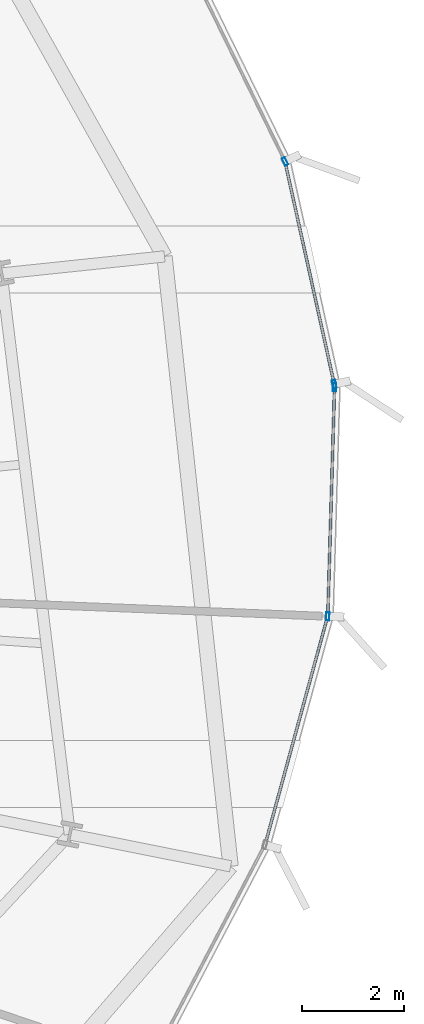
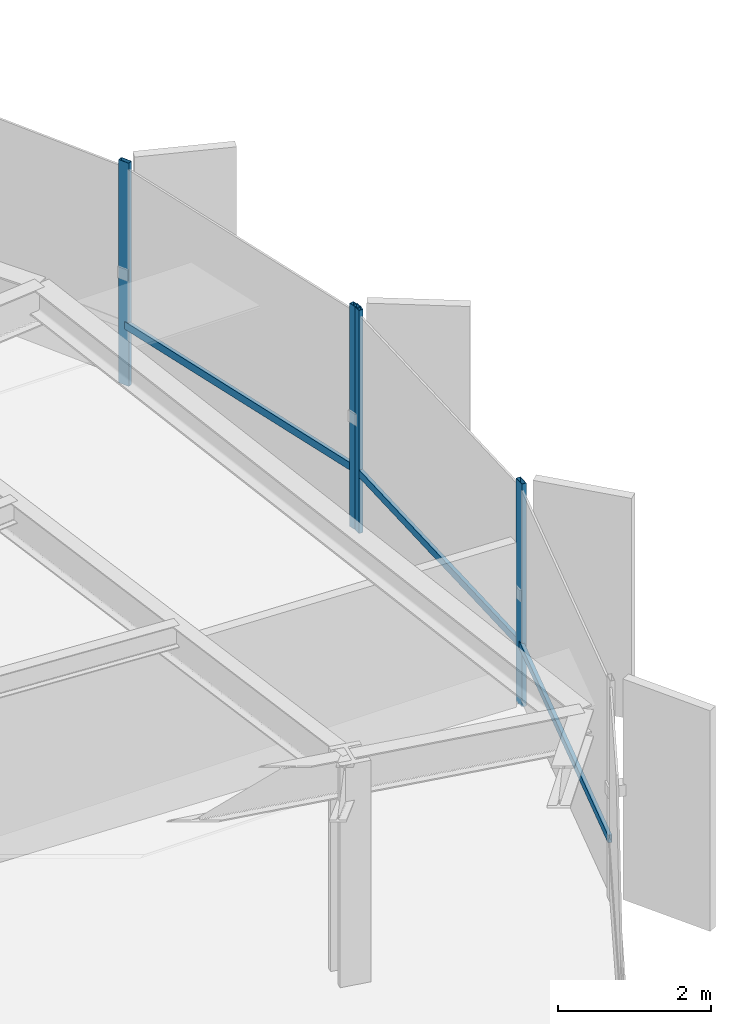
# One storey, part 29 of 38: 7 members, 2 elements without a shape of their own.
"""IFC4 building model written with IfcOpenShell, lengths in metres."""

from ifc_helpers import new_model, si_unit, direction, frame, origin, origin_2d, place, context, subcontext, project, spatial, hollow_rectangle, extrude, source, transform, mapped, material, layer, layer_set, material_profile, profile_set, type_object, element, aggregate, save


model = new_model("IFC4")

# Units and contexts
model_context = context("Model", 3, precision=1e-05, world=origin(), true_north=direction((0.0, 1.0)))
body_context = subcontext(model_context, "Body", "Model", "MODEL_VIEW")
ifc_project = project(units=[si_unit("LENGTHUNIT", "METRE"), si_unit("AREAUNIT", "SQUARE_METRE"), si_unit("VOLUMEUNIT", "CUBIC_METRE"), si_unit("PLANEANGLEUNIT", "RADIAN"), si_unit("MASSUNIT", "GRAM", prefix="KILO"), si_unit("THERMODYNAMICTEMPERATUREUNIT", "KELVIN")], contexts=[model_context])

# Site, building, storey
site_placement = place(None, origin())
site = spatial("IfcSite", under=ifc_project, at=site_placement, CompositionType="ELEMENT")
building_placement = place(site_placement, origin())
building = spatial("IfcBuilding", under=site, at=building_placement, Name="Kethvar Cultural Tower", CompositionType="ELEMENT")
storey_placement = place(building_placement, frame((0.0, 0.0, 52.39990234375)))
storey = spatial("IfcBuildingStorey", under=building, at=storey_placement, Name="L12", CompositionType="ELEMENT", Elevation=52.39990234375)

# Curtain wall, members
ifc_material = material(Name="Aluminium 6063-T6", Category="aluminium")
ifc_layer = layer(ifc_material, 0.179931640625, Name="Aluminium 6063-T6", Category="aluminium")
ifc_layer_set = layer_set([ifc_layer], Name="Aluminium 6063-T6 (180 mm)")
curtain_wall_type = type_object("IfcCurtainWallType", Name="CW-SYS-02-Z1", PredefinedType="NOTDEFINED", material=ifc_layer_set)
curtain_wall_1_placement = place(storey_placement, origin())
curtain_wall_1 = element("IfcCurtainWall", 1, at=curtain_wall_1_placement, inside=storey, type_object=curtain_wall_type, Name="L12 Curtain Wall Run 01", PredefinedType="NOTDEFINED")
ifc_material_profile_1 = material_profile(ifc_material, hollow_rectangle(XDim=0.06494140625, YDim=0.159912109375, WallThickness=0.0048828125, at=origin_2d()), Name="Aluminium 6063-T6 — RHS160x65x5")
ifc_profile_set_1 = profile_set([ifc_material_profile_1], Name="Aluminium 6063-T6 — RHS160x65x5")
member_type_1 = type_object("IfcMemberType", Name="CW-SYS-02-Z1-MUL", PredefinedType="MULLION", material=ifc_profile_set_1)
shared_shape_1 = source(origin(), body_context, "Body", "SweptSolid", [
    extrude(hollow_rectangle(XDim=0.06494140625, YDim=0.159912109375, WallThickness=0.0048828125, at=origin_2d()), origin(), (0.0, 0.0, 1.0), 3.550048828125),
])
member_1_placement = place(storey_placement, frame((80.154296875, 30.97998046875, 0.0), z_axis=(0.0, 0.0, 1.0), x_axis=(-0.976352637421, -0.216184012827, 0.0)))
member_1 = element("IfcMember", 2, at=member_1_placement, type_object=member_type_1, Name="CW-L12-R01 Mullion 1", PredefinedType="MULLION", context=body_context, shape_type="MappedRepresentation", body=[
    mapped(shared_shape_1, transform((0.0, 0.0, 0.0), scale=1.0)),
])
member_2_placement = place(storey_placement, frame((79.195068359375, 35.327880859375, 0.0), z_axis=(0.0, 0.0, 1.0), x_axis=(-0.897889320481, -0.440221271825, 0.0)))
member_2 = element("IfcMember", 3, at=member_2_placement, type_object=member_type_1, Name="CW-L12-R01 Mullion 2", PredefinedType="MULLION", context=body_context, shape_type="MappedRepresentation", body=[
    mapped(shared_shape_1, transform((0.0, 0.0, 0.0), scale=1.0)),
])

curtain_wall_2_placement = place(storey_placement, origin())
curtain_wall_2 = element("IfcCurtainWall", 4, at=curtain_wall_2_placement, inside=storey, type_object=curtain_wall_type, Name="L12 Curtain Wall Run 06", PredefinedType="NOTDEFINED")
member_3_placement = place(storey_placement, frame((80.027587890625, 26.447509765625, 0.0), z_axis=(0.0, 0.0, 1.0), x_axis=(-0.999567592469, 0.029404558912, 0.0)))
member_3 = element("IfcMember", 5, at=member_3_placement, type_object=member_type_1, Name="CW-L12-R06 Mullion 6", PredefinedType="MULLION", context=body_context, shape_type="MappedRepresentation", body=[
    mapped(shared_shape_1, transform((0.0, 0.0, 0.0), scale=1.0)),
])
member_4_placement = place(storey_placement, frame((80.159423828125, 30.926025390625, 0.0), z_axis=(0.0, 0.0, 1.0), x_axis=(-0.999567592469, 0.029404558912, 0.0)))
member_4 = element("IfcMember", 6, at=member_4_placement, type_object=member_type_1, Name="CW-L12-R06 Mullion 7", PredefinedType="MULLION", context=body_context, shape_type="MappedRepresentation", body=[
    mapped(shared_shape_1, transform((0.0, 0.0, 0.0), scale=1.0)),
])

# Member
ifc_material_profile_2 = material_profile(ifc_material, hollow_rectangle(XDim=0.054931640625, YDim=0.1201171875, WallThickness=0.00390625, at=origin_2d()), Name="Aluminium 6063-T6 — RHS120x55x4")
ifc_profile_set_2 = profile_set([ifc_material_profile_2], Name="Aluminium 6063-T6 — RHS120x55x4")
member_type_2 = type_object("IfcMemberType", Name="CW-SYS-02-Z1-TRN", PredefinedType="USERDEFINED", material=ifc_profile_set_2)
shared_shape_2 = source(origin(), body_context, "Body", "SweptSolid", [
    extrude(hollow_rectangle(XDim=0.054931640625, YDim=0.1201171875, WallThickness=0.00390625, at=origin_2d()), origin(), (0.0, 0.0, 1.0), 4.42919921875),
])
member_5_placement = place(storey_placement, frame((80.1533203125, 30.984619140625, 0.9501953125), z_axis=(-0.216183346826, 0.976352784886, 0.0), x_axis=(-0.976352784886, -0.216183346826, 0.0)))
member_5 = element("IfcMember", 7, at=member_5_placement, type_object=member_type_2, Name="CW-L12-R01 Transom 1", ObjectType="TRANSOM", PredefinedType="USERDEFINED", context=body_context, shape_type="MappedRepresentation", body=[
    mapped(shared_shape_2, transform((0.0, 0.0, 0.0), scale=1.0)),
])

aggregate(curtain_wall_1, [member_1, member_2, member_5])

member_6_placement = place(storey_placement, frame((80.029052734375, 26.494140625, 0.9501953125), z_axis=(0.02937961386, 0.999568325973, 0.0), x_axis=(-0.999568325973, 0.02937961386, 0.0)))
member_6 = element("IfcMember", 8, at=member_6_placement, type_object=member_type_2, Name="CW-L12-R06 Transom 6", ObjectType="TRANSOM", PredefinedType="USERDEFINED", context=body_context, shape_type="MappedRepresentation", body=[
    mapped(shared_shape_2, transform((0.0, 0.0, 0.0), scale=1.0)),
])

shared_shape_3 = source(origin(), body_context, "Body", "SweptSolid", [
    extrude(hollow_rectangle(XDim=0.054931640625, YDim=0.1201171875, WallThickness=0.00390625, at=origin_2d()), origin(), (0.0, 0.0, 1.0), 4.559326171875),
])
member_7_placement = place(storey_placement, frame((78.81494140625, 22.033203125, 0.9501953125), z_axis=(0.264209218539, 0.964465390172, 0.0), x_axis=(-0.964465390172, 0.264209218539, 0.0)))
member_7 = element("IfcMember", 9, at=member_7_placement, type_object=member_type_2, Name="CW-L12-R06 Transom 5", ObjectType="TRANSOM", PredefinedType="USERDEFINED", context=body_context, shape_type="MappedRepresentation", body=[
    mapped(shared_shape_3, transform((0.0, 0.0, 0.0), scale=1.0)),
])

aggregate(curtain_wall_2, [member_3, member_4, member_7, member_6])

save(model, "model.ifc")
